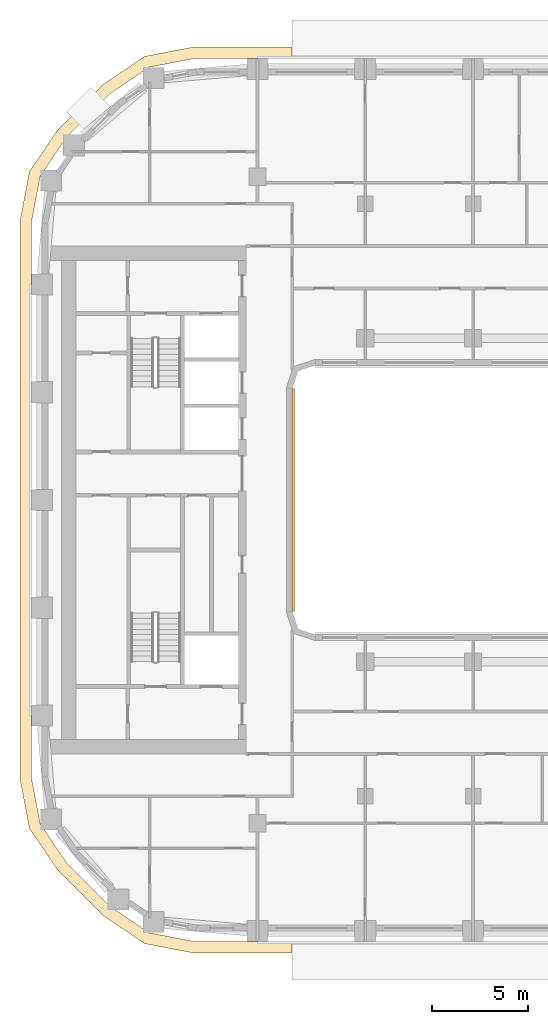
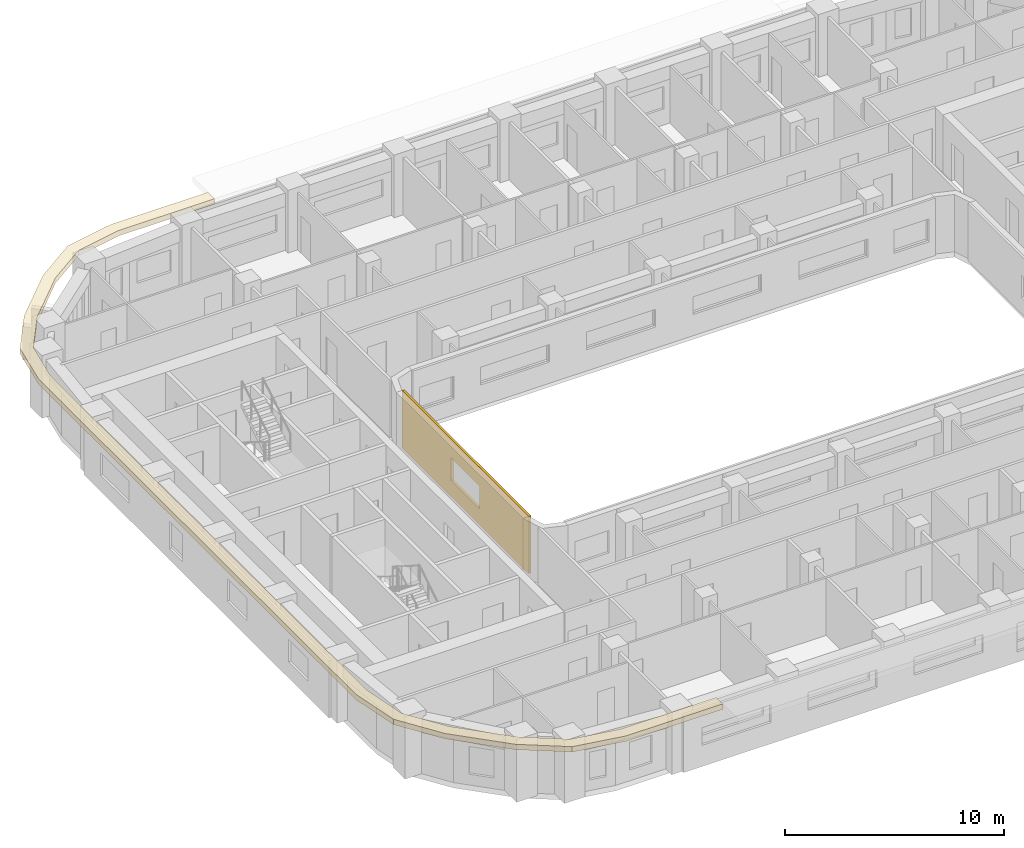
# One storey, part 14 of 22: 2 coverings.
"""IFC4 building model written with IfcOpenShell, lengths in metres."""

import ifcopenshell
import ifcopenshell.guid

model = None  # the IFC model being written
_history = None  # IfcOwnerHistory: only IFC2X3 demands one
_inside = {}  # id of a spatial element -> (the spatial element, [elements in it])
_under = {}  # id of a project, library or spatial element -> (it, [spatial elements below it])
_declared = {}  # id of a project -> (the project, [libraries it declares])
_typed = {}  # id of a type object -> (the type object, [elements of that type])
_made_of = {}  # id of a material, layer set ... -> (it, [elements and type objects made of it])


def new_model(schema):
    """Start an empty IFC model of exactly this schema.

    Asked for "IFC4X3", IfcOpenShell would pick the latest addendum, in which some entities
    have other attributes; the version numbers below select the first issue.
    IFC2X3 requires an IfcOwnerHistory on every rooted entity: one is made here for all.
    """
    global model, _history
    if schema == "IFC4X3":
        model = ifcopenshell.file(schema_version=(4, 3, 0, 0))
    else:
        model = ifcopenshell.file(schema=schema)
    _inside.clear()
    _under.clear()
    _declared.clear()
    _typed.clear()
    _made_of.clear()
    _history = None
    if model.schema == "IFC2X3":
        org = make("IfcOrganization", Name="unknown")
        user = make(
            "IfcPersonAndOrganization",
            ThePerson=make("IfcPerson", FamilyName="unknown"),
            TheOrganization=org,
        )
        app = make(
            "IfcApplication",
            ApplicationDeveloper=org,
            Version="unknown",
            ApplicationFullName="unknown",
            ApplicationIdentifier="unknown",
        )
        _history = make(
            "IfcOwnerHistory",
            OwningUser=user,
            OwningApplication=app,
            ChangeAction="ADDED",
            CreationDate=0,
        )
    return model


def make(cls, **values):
    """One entity of the class cls with the attributes given. An attribute that is None is left unset."""
    return model.create_entity(
        cls, **{name: value for name, value in values.items() if value is not None}
    )


def rooted(cls, **values):
    """An entity with a GlobalId (a new one), such as an element, a storey or a relation."""
    return make(cls, GlobalId=ifcopenshell.guid.new(), OwnerHistory=_history, **values)


def si_unit(unit_type, name, prefix=None):
    """IfcSIUnit, for example si_unit("LENGTHUNIT", "METRE", prefix="MILLI")."""
    return make("IfcSIUnit", UnitType=unit_type, Prefix=prefix, Name=name)


def assignment(units):
    """IfcUnitAssignment: the units of a project."""
    return None if units is None else make("IfcUnitAssignment", Units=units)


def point(xyz):
    """IfcCartesianPoint."""
    return None if xyz is None else make("IfcCartesianPoint", Coordinates=xyz)


def direction(xyz):
    """IfcDirection."""
    return None if xyz is None else make("IfcDirection", DirectionRatios=xyz)


def frame(location, z_axis=None, x_axis=None):
    """IfcAxis2Placement3D, a coordinate frame: its origin and axes. An axis left out is left unset."""
    return make(
        "IfcAxis2Placement3D",
        Location=point(location),
        Axis=direction(z_axis),
        RefDirection=direction(x_axis),
    )


def origin():
    """The frame at (0, 0, 0) with its axes left unset."""
    return frame((0.0, 0.0, 0.0))


def place(relative_to, where):
    """IfcLocalPlacement: puts the frame where relative to a parent placement (None: the world)."""
    return make(
        "IfcLocalPlacement", PlacementRelTo=relative_to, RelativePlacement=where
    )


def context(
    kind, dimensions, precision=None, world=None, true_north=None, identifier=None
):
    """IfcGeometricRepresentationContext, for example the 3D "Model" context."""
    return make(
        "IfcGeometricRepresentationContext",
        ContextIdentifier=identifier,
        ContextType=kind,
        CoordinateSpaceDimension=dimensions,
        Precision=precision,
        WorldCoordinateSystem=world,
        TrueNorth=true_north,
    )


def subcontext(parent, identifier, kind, view, scale=None):
    """IfcGeometricRepresentationSubContext, for example "Body" below "Model"."""
    return make(
        "IfcGeometricRepresentationSubContext",
        ContextIdentifier=identifier,
        ContextType=kind,
        ParentContext=parent,
        TargetScale=scale,
        TargetView=view,
    )


def project(units=None, contexts=None):
    """IfcProject with its units and contexts."""
    return rooted(
        "IfcProject",
        Name="project",
        RepresentationContexts=contexts,
        UnitsInContext=assignment(units),
    )


def spatial(cls, under=None, at=None, **own):
    """A site, building, storey or space (cls), placed at a placement, below another one or the project."""
    s = rooted(cls, ObjectPlacement=at, **own)
    if under is not None:
        _under.setdefault(under.id(), (under, []))[1].append(s)
    return s


def polyline(points):
    """IfcPolyline through the points."""
    return make("IfcPolyline", Points=[point(p) for p in points])


def outline(outer, holes=None, kind="AREA"):
    """IfcArbitraryClosedProfileDef: a profile drawn as a closed curve; with holes, ...WithVoids."""
    if holes is None:
        return make("IfcArbitraryClosedProfileDef", ProfileType=kind, OuterCurve=outer)
    return make(
        "IfcArbitraryProfileDefWithVoids",
        ProfileType=kind,
        OuterCurve=outer,
        InnerCurves=holes,
    )


def extrude(swept, where, along, depth):
    """IfcExtrudedAreaSolid: the profile swept, set in the frame where, extruded along a direction by depth."""
    return make(
        "IfcExtrudedAreaSolid",
        SweptArea=swept,
        Position=where,
        ExtrudedDirection=direction(along),
        Depth=depth,
    )


def shape(context_of_items, identifier, shape_type, items):
    """IfcShapeRepresentation: the items that make up one representation, for example the "Body"."""
    return make(
        "IfcShapeRepresentation",
        ContextOfItems=context_of_items,
        RepresentationIdentifier=identifier,
        RepresentationType=shape_type,
        Items=items,
    )


def material(Name=None, Category=None):
    """IfcMaterial."""
    return make("IfcMaterial", Name=Name, Category=Category)


def layer(
    of_material, thickness, ventilated=None, Name=None, Category=None, Priority=None
):
    """IfcMaterialLayer: one layer of a wall or slab, of a material (None: an air gap)."""
    return make(
        "IfcMaterialLayer",
        Material=of_material,
        LayerThickness=thickness,
        IsVentilated=ventilated,
        Name=Name,
        Category=Category,
        Priority=Priority,
    )


def layer_set(layers, Name=None):
    """IfcMaterialLayerSet."""
    return make("IfcMaterialLayerSet", MaterialLayers=layers, LayerSetName=Name)


def made_of(thing, what):
    """Note that an element or type object is made of a material, layer set ...; save() writes the relation."""
    if what is not None:
        _made_of.setdefault(what.id(), (what, []))[1].append(thing)
    return thing


def type_object(cls, material=None, **own):
    """A type object (cls), such as IfcWallType, which elements share."""
    return made_of(rooted(cls, **own), material)


def element(
    cls,
    number,
    at=None,
    inside=None,
    cuts=None,
    type_object=None,
    material=None,
    context=None,
    identifier="Body",
    shape_type=None,
    held_by="IfcProductDefinitionShape",
    body=None,
    shapes=None,
    **own,
):
    """One element of the class cls, such as IfcWall. Its Tag is "e" and its number.

    at: its placement. inside: the storey or other place that contains it. cuts: it is an
    opening in that element (IfcRelVoidsElement). A single representation is given by context,
    identifier, shape_type and body (its items); several are given by shapes. held_by: the class
    of the entity that holds the representations. save() writes the other relations.
    """
    e = rooted(cls, Tag="e%d" % number, ObjectPlacement=at, **own)
    if body is not None:
        shapes = [shape(context, identifier, shape_type, body)]
    if shapes is not None:
        e.Representation = make(held_by, Representations=shapes)
    if inside is not None:
        _inside.setdefault(inside.id(), (inside, []))[1].append(e)
    if cuts is not None:
        rooted(
            "IfcRelVoidsElement", RelatingBuildingElement=cuts, RelatedOpeningElement=e
        )
    if type_object is not None:
        _typed.setdefault(type_object.id(), (type_object, []))[1].append(e)
    return made_of(e, material)


def aggregate(whole, parts):
    """IfcRelAggregates: a whole, such as a stair, and the parts it consists of."""
    return rooted("IfcRelAggregates", RelatingObject=whole, RelatedObjects=parts)


def save(model, path):
    """Write the relations noted so far, then the file.

    IfcRelAggregates (storeys below a building ...), IfcRelContainedInSpatialStructure (elements
    in a storey), IfcRelDefinesByType, IfcRelAssociatesMaterial and IfcRelDeclares: one each for
    every whole, place, type object, material and project.
    """
    for whole, parts in _under.values():
        aggregate(whole, parts)
    for where, things in _inside.values():
        rooted(
            "IfcRelContainedInSpatialStructure",
            RelatedElements=things,
            RelatingStructure=where,
        )
    for kind, things in _typed.values():
        rooted("IfcRelDefinesByType", RelatedObjects=things, RelatingType=kind)
    for what, things in _made_of.values():
        rooted("IfcRelAssociatesMaterial", RelatedObjects=things, RelatingMaterial=what)
    for by, libraries in _declared.values():
        rooted("IfcRelDeclares", RelatingContext=by, RelatedDefinitions=libraries)
    model.write(path)


model = new_model("IFC4")

# Units and contexts
model_context = context("Model", 3, precision=1e-05, world=origin(), true_north=direction((0.0, 1.0)))
body_context = subcontext(model_context, "Body", "Model", "MODEL_VIEW")
ifc_project = project(units=[si_unit("LENGTHUNIT", "METRE"), si_unit("AREAUNIT", "SQUARE_METRE"), si_unit("VOLUMEUNIT", "CUBIC_METRE"), si_unit("PLANEANGLEUNIT", "RADIAN"), si_unit("MASSUNIT", "GRAM", prefix="KILO")], contexts=[model_context])

# Site, building, storey
site_placement = place(None, origin())
site = spatial("IfcSite", under=ifc_project, at=site_placement, CompositionType="ELEMENT")
building_placement = place(site_placement, origin())
building = spatial("IfcBuilding", under=site, at=building_placement, Name="Kiln Ring Residences", CompositionType="ELEMENT")
storey_placement = place(building_placement, frame((0.0, 0.0, 139.60009765625)))
storey = spatial("IfcBuildingStorey", under=building, at=storey_placement, Name="L35", CompositionType="ELEMENT", Elevation=139.60009765625)

# Coverings
ifc_material_1 = material(Name="Brick masonry, dark clay brick", Category="masonry")
ifc_layer_1 = layer(ifc_material_1, 0.1201171875)
ifc_layer_set_1 = layer_set([ifc_layer_1], Name="RAINSCREEN PANEL 120")
covering_type_1 = type_object("IfcCoveringType", Name="RAINSCREEN PANEL 120", PredefinedType="CLADDING", material=ifc_layer_set_1)
covering_1_placement = place(storey_placement, frame((-14.93994140625, -5.800048828125, 0.0), z_axis=(0.0, 0.0, 1.0), x_axis=(0.0, 1.0, 0.0)))
element("IfcCovering", 1, at=covering_1_placement, inside=storey, type_object=covering_type_1, Name="RAINSCREEN L35", PredefinedType="CLADDING", context=body_context, shape_type="SweptSolid", body=[
    extrude(outline(polyline([(0.0, 0.0), (11.60009765625, 0.0), (11.60009765625, 3.199951171875), (0.0, 3.199951171875), (0.0, 0.0)]), holes=[polyline([(4.5, 2.14990234375), (4.5, 0.89990234375), (7.10009765625, 0.89990234375), (7.10009765625, 2.14990234375), (4.5, 2.14990234375)])]), frame((0.0, 0.06005859375, 0.0), z_axis=(0.0, -1.0, 0.0), x_axis=(1.0, 0.0, 0.0)), (0.0, 0.0, 1.0), 0.1201171875),
])
ifc_material_2 = material(Name="Black powder-coated steel", Category="steel")
ifc_layer_2 = layer(ifc_material_2, 0.300048828125)
ifc_layer_set_2 = layer_set([ifc_layer_2], Name="SUNSHADE FIN 600")
covering_type_2 = type_object("IfcCoveringType", Name="SUNSHADE FIN 600", PredefinedType="CLADDING", material=ifc_layer_set_2)
covering_2_placement = place(storey_placement, frame((0.0, 0.0, 3.199951171875)))
element("IfcCovering", 2, at=covering_2_placement, inside=storey, type_object=covering_type_2, Name="SUNSHADE FIN L35", PredefinedType="CLADDING", context=body_context, shape_type="SweptSolid", body=[
    extrude(outline(polyline([(-29.14990234375, -14.5087890625), (-28.66064453125, -17.07373046875), (-27.193115234375, -19.2333984375), (-24.83349609375, -21.593017578125), (-22.673583984375, -23.060791015625), (-20.108642578125, -23.550048828125), (-15.0, -23.550048828125), (-15.0, -22.949951171875), (-20.052001953125, -22.949951171875), (-22.439208984375, -22.49462890625), (-24.44921875, -21.128662109375), (-26.728515625, -18.84912109375), (-28.0947265625, -16.839111328125), (-28.550048828125, -14.451904296875), (-28.550048828125, 14.451904296875), (-28.0947265625, 16.839111328125), (-26.728515625, 18.84912109375), (-24.44921875, 21.128662109375), (-22.439208984375, 22.49462890625), (-20.052001953125, 22.949951171875), (-15.0, 22.949951171875), (-15.0, 23.550048828125), (-20.108642578125, 23.550048828125), (-22.673583984375, 23.060791015625), (-24.83349609375, 21.593017578125), (-27.193115234375, 19.2333984375), (-28.66064453125, 17.07373046875), (-29.14990234375, 14.5087890625), (-29.14990234375, -14.5087890625)])), origin(), (0.0, 0.0, 1.0), 0.300048828125),
])

save(model, "model.ifc")
